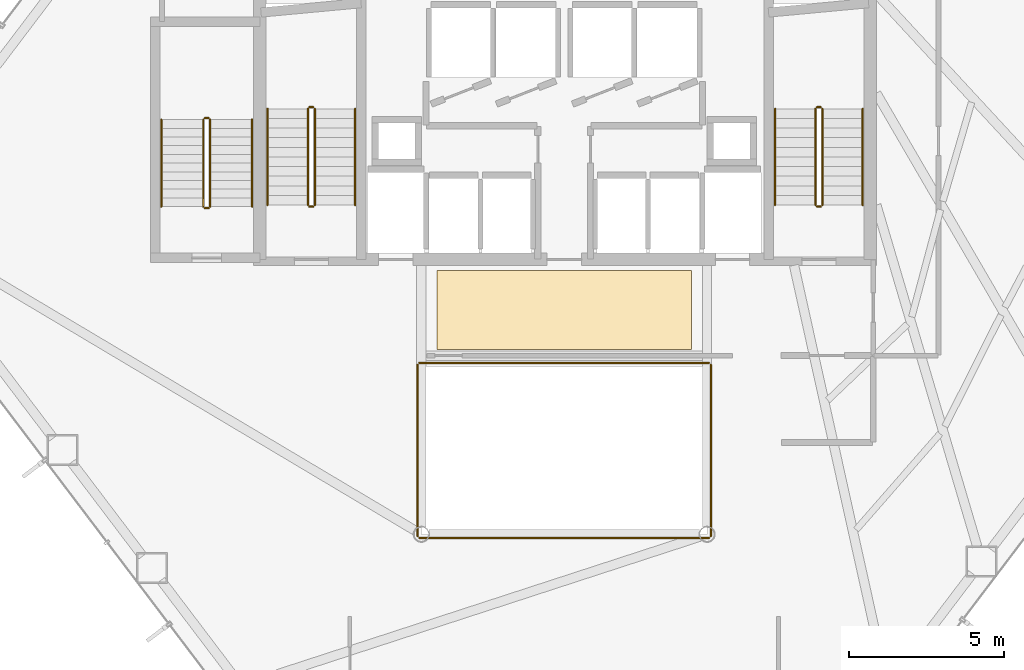
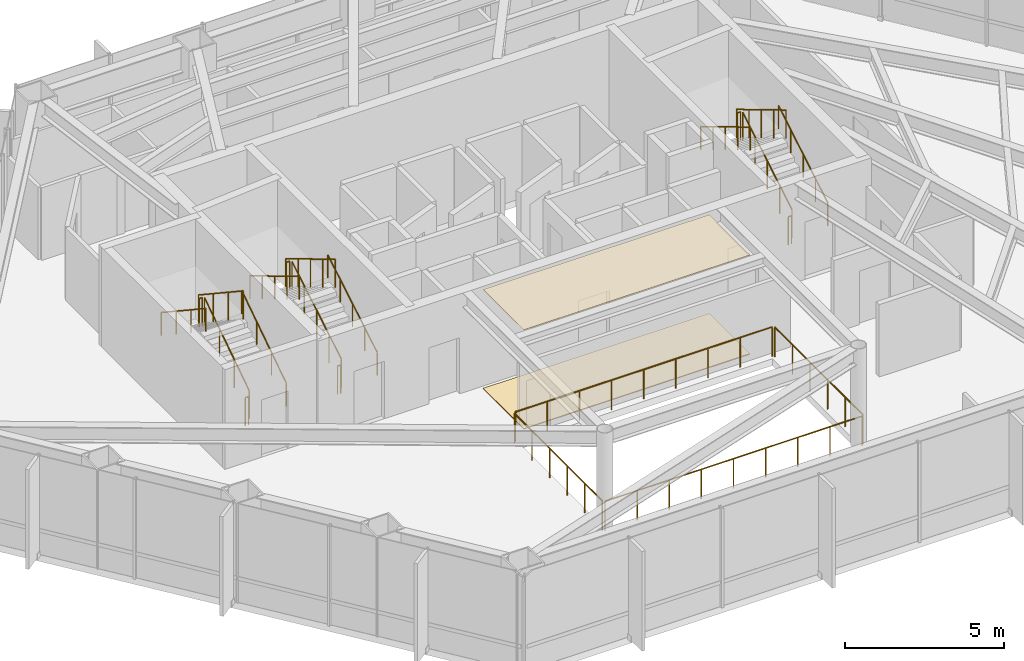
# One storey, part 25 of 25: 22 railings, 2 coverings.
"""IFC4 building model written with IfcOpenShell, lengths in metres."""

from ifc_helpers import new_model, si_unit, direction, frame, origin, origin_2d, place, context, subcontext, project, spatial, polyline, circle, outline, extrude, material, layer, layer_set, type_object, element, save


model = new_model("IFC4")

# Units and contexts
model_context = context("Model", 3, precision=1e-05, world=origin(), true_north=direction((0.0, 1.0)))
body_context = subcontext(model_context, "Body", "Model", "MODEL_VIEW")
ifc_project = project(units=[si_unit("LENGTHUNIT", "METRE"), si_unit("AREAUNIT", "SQUARE_METRE"), si_unit("VOLUMEUNIT", "CUBIC_METRE"), si_unit("PLANEANGLEUNIT", "RADIAN"), si_unit("MASSUNIT", "GRAM", prefix="KILO")], contexts=[model_context])

# Site, building, storey
site_placement = place(None, origin())
site = spatial("IfcSite", under=ifc_project, at=site_placement, CompositionType="ELEMENT")
building_placement = place(site_placement, origin())
building = spatial("IfcBuilding", under=site, at=building_placement, Name="Zarrinselat Tower", CompositionType="ELEMENT")
storey_placement = place(building_placement, frame((0.0, 0.0, 52.02001953125)))
storey = spatial("IfcBuildingStorey", under=building, at=storey_placement, Name="L12", CompositionType="ELEMENT", Elevation=52.02001953125)

# Coverings
ifc_material_1 = material(Name="Fire-Rated Gypsum Board Partition")
ifc_layer_1 = layer(ifc_material_1, 0.014892578125)
ifc_layer_set_1 = layer_set([ifc_layer_1], Name="Fire-Rated Gypsum Board Partition")
covering_type_1 = type_object("IfcCoveringType", Name="COV-CLG-AC15", PredefinedType="CEILING", material=ifc_layer_set_1)
covering_1_placement = place(storey_placement, frame((0.0, 0.0, 3.804931640625)))
element("IfcCovering", 1, at=covering_1_placement, inside=storey, type_object=covering_type_1, Name="L12 Lift Lobby Acoustic Ceiling", PredefinedType="CEILING", context=body_context, shape_type="SweptSolid", body=[
    extrude(outline(polyline([(34.300048828125, 30.35009765625), (42.5, 30.35009765625), (42.5, 32.89990234375), (34.300048828125, 32.89990234375), (34.300048828125, 30.35009765625)])), origin(), (0.0, 0.0, 1.0), 0.01513671875),
])
ifc_material_2 = material(Name="Precast concrete C40/50", Category="concrete")
ifc_layer_2 = layer(ifc_material_2, 0.034912109375)
ifc_layer_set_2 = layer_set([ifc_layer_2], Name="Precast concrete C40/50")
covering_type_2 = type_object("IfcCoveringType", Name="COV-FLR-CP35", PredefinedType="FLOORING", material=ifc_layer_set_2)
covering_2_placement = place(storey_placement, origin())
element("IfcCovering", 2, at=covering_2_placement, inside=storey, type_object=covering_type_2, Name="L12 Lift Lobby Stone Flooring", PredefinedType="FLOORING", context=body_context, shape_type="SweptSolid", body=[
    extrude(outline(polyline([(34.300048828125, 30.35009765625), (42.5, 30.35009765625), (42.5, 32.89990234375), (34.300048828125, 32.89990234375), (34.300048828125, 30.35009765625)])), origin(), (0.0, 0.0, 1.0), 0.034912109375),
])

# Railings
ifc_material_3 = material(Name="Double Low-E Laminated Solar Glass", Category="glass")
railing_type_1 = type_object("IfcRailingType", Name="RLG-ATRIUM-BAL", PredefinedType="BALUSTRADE", material=ifc_material_3)
railing_1_placement = place(storey_placement, frame((33.739990234375, 24.280029296875, 0.0)))
element("IfcRailing", 3, at=railing_1_placement, inside=storey, type_object=railing_type_1, Name="L12 Atrium Void Glass Balustrade S", PredefinedType="BALUSTRADE", context=body_context, shape_type="SweptSolid", body=[
    extrude(circle(Radius=0.02392578125, at=origin_2d()), frame((0.0, 0.0, 1.1259765625), z_axis=(1.0, 0.0, 0.0), x_axis=(0.0, 1.0, 0.0)), (0.0, 0.0, 1.0), 9.320068359375),
    extrude(circle(Radius=0.02099609375, at=origin_2d()), origin(), (0.0, 0.0, 1.0), 1.099853515625),
    extrude(circle(Radius=0.02099609375, at=origin_2d()), frame((1.1650390625, 0.0, 0.0)), (0.0, 0.0, 1.0), 1.099853515625),
    extrude(circle(Radius=0.02099609375, at=origin_2d()), frame((2.330078125, 0.0, 0.0)), (0.0, 0.0, 1.0), 1.099853515625),
    extrude(circle(Radius=0.02099609375, at=origin_2d()), frame((3.4951171875, 0.0, 0.0)), (0.0, 0.0, 1.0), 1.099853515625),
    extrude(circle(Radius=0.02099609375, at=origin_2d()), frame((4.66015625, 0.0, 0.0)), (0.0, 0.0, 1.0), 1.099853515625),
    extrude(circle(Radius=0.02099609375, at=origin_2d()), frame((5.824951171875, 0.0, 0.0)), (0.0, 0.0, 1.0), 1.099853515625),
    extrude(circle(Radius=0.02099609375, at=origin_2d()), frame((6.989990234375, 0.0, 0.0)), (0.0, 0.0, 1.0), 1.099853515625),
    extrude(circle(Radius=0.02099609375, at=origin_2d()), frame((8.155029296875, 0.0, 0.0)), (0.0, 0.0, 1.0), 1.099853515625),
    extrude(circle(Radius=0.02099609375, at=origin_2d()), frame((9.320068359375, 0.0, 0.0)), (0.0, 0.0, 1.0), 1.099853515625),
])
railing_2_placement = place(storey_placement, frame((43.1201171875, 24.340087890625, 0.0)))
element("IfcRailing", 4, at=railing_2_placement, inside=storey, type_object=railing_type_1, Name="L12 Atrium Void Glass Balustrade E", PredefinedType="BALUSTRADE", context=body_context, shape_type="SweptSolid", body=[
    extrude(circle(Radius=0.02392578125, at=origin_2d()), frame((0.0, 0.0, 1.1259765625), z_axis=(0.0, 1.0, 0.0), x_axis=(-1.0, 0.0, 0.0)), (0.0, 0.0, 1.0), 5.52001953125),
    extrude(circle(Radius=0.02099609375, at=origin_2d()), origin(), (0.0, 0.0, 1.0), 1.099853515625),
    extrude(circle(Radius=0.02099609375, at=origin_2d()), frame((0.0, 1.10400390625, 0.0)), (0.0, 0.0, 1.0), 1.099853515625),
    extrude(circle(Radius=0.02099609375, at=origin_2d()), frame((0.0, 2.2080078125, 0.0)), (0.0, 0.0, 1.0), 1.099853515625),
    extrude(circle(Radius=0.02099609375, at=origin_2d()), frame((0.0, 3.31201171875, 0.0)), (0.0, 0.0, 1.0), 1.099853515625),
    extrude(circle(Radius=0.02099609375, at=origin_2d()), frame((0.0, 4.416015625, 0.0)), (0.0, 0.0, 1.0), 1.099853515625),
    extrude(circle(Radius=0.02099609375, at=origin_2d()), frame((0.0, 5.52001953125, 0.0)), (0.0, 0.0, 1.0), 1.099853515625),
])
railing_3_placement = place(storey_placement, frame((43.06005859375, 29.919921875, 0.0)))
element("IfcRailing", 5, at=railing_3_placement, inside=storey, type_object=railing_type_1, Name="L12 Atrium Void Glass Balustrade N", PredefinedType="BALUSTRADE", context=body_context, shape_type="SweptSolid", body=[
    extrude(circle(Radius=0.02392578125, at=origin_2d()), frame((0.0, 0.0, 1.1259765625), z_axis=(-1.0, 0.0, 0.0), x_axis=(0.0, -1.0, 0.0)), (0.0, 0.0, 1.0), 9.320068359375),
    extrude(circle(Radius=0.02099609375, at=origin_2d()), origin(), (0.0, 0.0, 1.0), 1.099853515625),
    extrude(circle(Radius=0.02099609375, at=origin_2d()), frame((-1.1650390625, 0.0, 0.0)), (0.0, 0.0, 1.0), 1.099853515625),
    extrude(circle(Radius=0.02099609375, at=origin_2d()), frame((-2.330078125, 0.0, 0.0)), (0.0, 0.0, 1.0), 1.099853515625),
    extrude(circle(Radius=0.02099609375, at=origin_2d()), frame((-3.4951171875, 0.0, 0.0)), (0.0, 0.0, 1.0), 1.099853515625),
    extrude(circle(Radius=0.02099609375, at=origin_2d()), frame((-4.66015625, 0.0, 0.0)), (0.0, 0.0, 1.0), 1.099853515625),
    extrude(circle(Radius=0.02099609375, at=origin_2d()), frame((-5.824951171875, 0.0, 0.0)), (0.0, 0.0, 1.0), 1.099853515625),
    extrude(circle(Radius=0.02099609375, at=origin_2d()), frame((-6.989990234375, 0.0, 0.0)), (0.0, 0.0, 1.0), 1.099853515625),
    extrude(circle(Radius=0.02099609375, at=origin_2d()), frame((-8.155029296875, 0.0, 0.0)), (0.0, 0.0, 1.0), 1.099853515625),
    extrude(circle(Radius=0.02099609375, at=origin_2d()), frame((-9.320068359375, 0.0, 0.0)), (0.0, 0.0, 1.0), 1.099853515625),
])
railing_4_placement = place(storey_placement, frame((33.679931640625, 29.860107421875, 0.0)))
element("IfcRailing", 6, at=railing_4_placement, inside=storey, type_object=railing_type_1, Name="L12 Atrium Void Glass Balustrade W", PredefinedType="BALUSTRADE", context=body_context, shape_type="SweptSolid", body=[
    extrude(circle(Radius=0.02392578125, at=origin_2d()), frame((0.0, 0.0, 1.1259765625), z_axis=(0.0, -1.0, 0.0), x_axis=(1.0, 0.0, 0.0)), (0.0, 0.0, 1.0), 5.52001953125),
    extrude(circle(Radius=0.02099609375, at=origin_2d()), origin(), (0.0, 0.0, 1.0), 1.099853515625),
    extrude(circle(Radius=0.02099609375, at=origin_2d()), frame((0.0, -1.10400390625, 0.0)), (0.0, 0.0, 1.0), 1.099853515625),
    extrude(circle(Radius=0.02099609375, at=origin_2d()), frame((0.0, -2.2080078125, 0.0)), (0.0, 0.0, 1.0), 1.099853515625),
    extrude(circle(Radius=0.02099609375, at=origin_2d()), frame((0.0, -3.31201171875, 0.0)), (0.0, 0.0, 1.0), 1.099853515625),
    extrude(circle(Radius=0.02099609375, at=origin_2d()), frame((0.0, -4.416015625, 0.0)), (0.0, 0.0, 1.0), 1.099853515625),
    extrude(circle(Radius=0.02099609375, at=origin_2d()), frame((0.0, -5.52001953125, 0.0)), (0.0, 0.0, 1.0), 1.099853515625),
])
ifc_material_4 = material(Name="Steel S355J2", Category="steel")
railing_type_2 = type_object("IfcRailingType", Name="RLG-STAIR-GUARD", PredefinedType="GUARDRAIL", material=ifc_material_4)
railing_5_placement = place(storey_placement, frame((30.3701171875, 35.0, 0.185546875)))
element("IfcRailing", 7, at=railing_5_placement, inside=storey, type_object=railing_type_2, Name="L12 ST-1 stair guard 1", PredefinedType="GUARDRAIL", context=body_context, shape_type="SweptSolid", body=[
    extrude(circle(Radius=0.02392578125, at=origin_2d()), frame((0.0, 0.0, 1.076171875), z_axis=(0.0, 0.858171985069, 0.513362293163), x_axis=(-1.0, 0.0, 0.0)), (0.0, 0.0, 1.0), 3.612548828125),
    extrude(circle(Radius=0.02099609375, at=origin_2d()), origin(), (0.0, 0.0, 1.0), 1.050048828125),
    extrude(circle(Radius=0.02099609375, at=origin_2d()), frame((0.0, 0.77490234375, 0.463623046875)), (0.0, 0.0, 1.0), 1.050048828125),
    extrude(circle(Radius=0.02099609375, at=origin_2d()), frame((0.0, 1.550048828125, 0.92724609375)), (0.0, 0.0, 1.0), 1.050048828125),
    extrude(circle(Radius=0.02099609375, at=origin_2d()), frame((0.0, 2.3251953125, 1.390869140625)), (0.0, 0.0, 1.0), 1.050048828125),
    extrude(circle(Radius=0.02099609375, at=origin_2d()), frame((0.0, 3.10009765625, 1.8544921875)), (0.0, 0.0, 1.0), 1.050048828125),
])
railing_6_placement = place(storey_placement, frame((30.320068359375, 38.14990234375, 2.0400390625)))
element("IfcRailing", 8, at=railing_6_placement, inside=storey, type_object=railing_type_2, Name="L12 ST-1 stair guard 2", PredefinedType="GUARDRAIL", context=body_context, shape_type="SweptSolid", body=[
    extrude(circle(Radius=0.02392578125, at=origin_2d()), frame((0.0, 0.0, 1.076171875), z_axis=(-1.0, 0.0, 0.0), x_axis=(0.0, -1.0, 0.0)), (0.0, 0.0, 1.0), 0.1201171875),
    extrude(circle(Radius=0.02099609375, at=origin_2d()), origin(), (0.0, 0.0, 1.0), 1.050048828125),
    extrude(circle(Radius=0.02099609375, at=origin_2d()), frame((-0.1201171875, 0.0, 0.0)), (0.0, 0.0, 1.0), 1.050048828125),
])
railing_7_placement = place(storey_placement, frame((30.14990234375, 38.10009765625, 2.225341796875)))
element("IfcRailing", 9, at=railing_7_placement, inside=storey, type_object=railing_type_2, Name="L12 ST-1 stair guard 3", PredefinedType="GUARDRAIL", context=body_context, shape_type="SweptSolid", body=[
    extrude(circle(Radius=0.02392578125, at=origin_2d()), frame((0.0, 0.0, 1.076171875), z_axis=(0.0, -0.858142210651, 0.513412062869), x_axis=(1.0, 0.0, 0.0)), (0.0, 0.0, 1.0), 3.612548828125),
    extrude(circle(Radius=0.02099609375, at=origin_2d()), origin(), (0.0, 0.0, 1.0), 1.050048828125),
    extrude(circle(Radius=0.02099609375, at=origin_2d()), frame((0.0, -0.77490234375, 0.463623046875)), (0.0, 0.0, 1.0), 1.050048828125),
    extrude(circle(Radius=0.02099609375, at=origin_2d()), frame((0.0, -1.550048828125, 0.92724609375)), (0.0, 0.0, 1.0), 1.050048828125),
    extrude(circle(Radius=0.02099609375, at=origin_2d()), frame((0.0, -2.3251953125, 1.39111328125)), (0.0, 0.0, 1.0), 1.050048828125),
    extrude(circle(Radius=0.02099609375, at=origin_2d()), frame((0.0, -3.10009765625, 1.854736328125)), (0.0, 0.0, 1.0), 1.050048828125),
])
railing_8_placement = place(storey_placement, frame((30.320068359375, 34.949951171875, 0.0)))
element("IfcRailing", 10, at=railing_8_placement, inside=storey, type_object=railing_type_2, Name="L12 ST-1 stair guard 4", PredefinedType="GUARDRAIL", context=body_context, shape_type="SweptSolid", body=[
    extrude(circle(Radius=0.02392578125, at=origin_2d()), frame((0.0, 0.0, 1.076171875), z_axis=(-1.0, 0.0, 0.0), x_axis=(0.0, -1.0, 0.0)), (0.0, 0.0, 1.0), 0.1201171875),
    extrude(circle(Radius=0.02099609375, at=origin_2d()), origin(), (0.0, 0.0, 1.0), 1.050048828125),
    extrude(circle(Radius=0.02099609375, at=origin_2d()), frame((-0.1201171875, 0.0, 0.0)), (0.0, 0.0, 1.0), 1.050048828125),
])
railing_9_placement = place(storey_placement, frame((46.7099609375, 35.0, 0.185546875)))
element("IfcRailing", 11, at=railing_9_placement, inside=storey, type_object=railing_type_2, Name="L12 ST-2 stair guard 1", PredefinedType="GUARDRAIL", context=body_context, shape_type="SweptSolid", body=[
    extrude(circle(Radius=0.02392578125, at=origin_2d()), frame((0.0, 0.0, 1.076171875), z_axis=(0.0, 0.858171985069, 0.513362293163), x_axis=(-1.0, 0.0, 0.0)), (0.0, 0.0, 1.0), 3.612548828125),
    extrude(circle(Radius=0.02099609375, at=origin_2d()), origin(), (0.0, 0.0, 1.0), 1.050048828125),
    extrude(circle(Radius=0.02099609375, at=origin_2d()), frame((0.0, 0.77490234375, 0.463623046875)), (0.0, 0.0, 1.0), 1.050048828125),
    extrude(circle(Radius=0.02099609375, at=origin_2d()), frame((0.0, 1.550048828125, 0.92724609375)), (0.0, 0.0, 1.0), 1.050048828125),
    extrude(circle(Radius=0.02099609375, at=origin_2d()), frame((0.0, 2.3251953125, 1.390869140625)), (0.0, 0.0, 1.0), 1.050048828125),
    extrude(circle(Radius=0.02099609375, at=origin_2d()), frame((0.0, 3.10009765625, 1.8544921875)), (0.0, 0.0, 1.0), 1.050048828125),
])
railing_10_placement = place(storey_placement, frame((46.659912109375, 38.14990234375, 2.0400390625)))
element("IfcRailing", 12, at=railing_10_placement, inside=storey, type_object=railing_type_2, Name="L12 ST-2 stair guard 2", PredefinedType="GUARDRAIL", context=body_context, shape_type="SweptSolid", body=[
    extrude(circle(Radius=0.02392578125, at=origin_2d()), frame((0.0, 0.0, 1.076171875), z_axis=(-1.0, 0.0, 0.0), x_axis=(0.0, -1.0, 0.0)), (0.0, 0.0, 1.0), 0.119873046875),
    extrude(circle(Radius=0.02099609375, at=origin_2d()), origin(), (0.0, 0.0, 1.0), 1.050048828125),
    extrude(circle(Radius=0.02099609375, at=origin_2d()), frame((-0.119873046875, 0.0, 0.0)), (0.0, 0.0, 1.0), 1.050048828125),
])
railing_11_placement = place(storey_placement, frame((46.489990234375, 38.10009765625, 2.225341796875)))
element("IfcRailing", 13, at=railing_11_placement, inside=storey, type_object=railing_type_2, Name="L12 ST-2 stair guard 3", PredefinedType="GUARDRAIL", context=body_context, shape_type="SweptSolid", body=[
    extrude(circle(Radius=0.02392578125, at=origin_2d()), frame((0.0, 0.0, 1.076171875), z_axis=(0.0, -0.858142210651, 0.513412062869), x_axis=(1.0, 0.0, 0.0)), (0.0, 0.0, 1.0), 3.612548828125),
    extrude(circle(Radius=0.02099609375, at=origin_2d()), origin(), (0.0, 0.0, 1.0), 1.050048828125),
    extrude(circle(Radius=0.02099609375, at=origin_2d()), frame((0.0, -0.77490234375, 0.463623046875)), (0.0, 0.0, 1.0), 1.050048828125),
    extrude(circle(Radius=0.02099609375, at=origin_2d()), frame((0.0, -1.550048828125, 0.92724609375)), (0.0, 0.0, 1.0), 1.050048828125),
    extrude(circle(Radius=0.02099609375, at=origin_2d()), frame((0.0, -2.3251953125, 1.39111328125)), (0.0, 0.0, 1.0), 1.050048828125),
    extrude(circle(Radius=0.02099609375, at=origin_2d()), frame((0.0, -3.10009765625, 1.854736328125)), (0.0, 0.0, 1.0), 1.050048828125),
])
railing_12_placement = place(storey_placement, frame((46.659912109375, 34.949951171875, 0.0)))
element("IfcRailing", 14, at=railing_12_placement, inside=storey, type_object=railing_type_2, Name="L12 ST-2 stair guard 4", PredefinedType="GUARDRAIL", context=body_context, shape_type="SweptSolid", body=[
    extrude(circle(Radius=0.02392578125, at=origin_2d()), frame((0.0, 0.0, 1.076171875), z_axis=(-1.0, 0.0, 0.0), x_axis=(0.0, -1.0, 0.0)), (0.0, 0.0, 1.0), 0.119873046875),
    extrude(circle(Radius=0.02099609375, at=origin_2d()), origin(), (0.0, 0.0, 1.0), 1.050048828125),
    extrude(circle(Radius=0.02099609375, at=origin_2d()), frame((-0.119873046875, 0.0, 0.0)), (0.0, 0.0, 1.0), 1.050048828125),
])
railing_13_placement = place(storey_placement, frame((27.0, 34.949951171875, 0.185546875)))
element("IfcRailing", 15, at=railing_13_placement, inside=storey, type_object=railing_type_2, Name="L12 ST-3 stair guard 1", PredefinedType="GUARDRAIL", context=body_context, shape_type="SweptSolid", body=[
    extrude(circle(Radius=0.02392578125, at=origin_2d()), frame((0.0, 0.0, 1.076171875), z_axis=(0.0, 0.833724036255, 0.552181339209), x_axis=(-1.0, 0.0, 0.0)), (0.0, 0.0, 1.0), 3.3583984375),
    extrude(circle(Radius=0.02099609375, at=origin_2d()), origin(), (0.0, 0.0, 1.0), 1.050048828125),
    extrude(circle(Radius=0.02099609375, at=origin_2d()), frame((0.0, 0.933349609375, 0.6181640625)), (0.0, 0.0, 1.0), 1.050048828125),
    extrude(circle(Radius=0.02099609375, at=origin_2d()), frame((0.0, 1.86669921875, 1.236328125)), (0.0, 0.0, 1.0), 1.050048828125),
    extrude(circle(Radius=0.02099609375, at=origin_2d()), frame((0.0, 2.800048828125, 1.8544921875)), (0.0, 0.0, 1.0), 1.050048828125),
])
railing_14_placement = place(storey_placement, frame((26.949951171875, 37.800048828125, 2.0400390625)))
element("IfcRailing", 16, at=railing_14_placement, inside=storey, type_object=railing_type_2, Name="L12 ST-3 stair guard 2", PredefinedType="GUARDRAIL", context=body_context, shape_type="SweptSolid", body=[
    extrude(circle(Radius=0.02392578125, at=origin_2d()), frame((0.0, 0.0, 1.076171875), z_axis=(-1.0, 0.0, 0.0), x_axis=(0.0, -1.0, 0.0)), (0.0, 0.0, 1.0), 0.119873046875),
    extrude(circle(Radius=0.02099609375, at=origin_2d()), origin(), (0.0, 0.0, 1.0), 1.050048828125),
    extrude(circle(Radius=0.02099609375, at=origin_2d()), frame((-0.119873046875, 0.0, 0.0)), (0.0, 0.0, 1.0), 1.050048828125),
])
railing_15_placement = place(storey_placement, frame((26.780029296875, 37.75, 2.225341796875)))
element("IfcRailing", 17, at=railing_15_placement, inside=storey, type_object=railing_type_2, Name="L12 ST-3 stair guard 3", PredefinedType="GUARDRAIL", context=body_context, shape_type="SweptSolid", body=[
    extrude(circle(Radius=0.02392578125, at=origin_2d()), frame((0.0, 0.0, 1.076171875), z_axis=(0.0, -0.833690570297, 0.55223186525), x_axis=(1.0, 0.0, 0.0)), (0.0, 0.0, 1.0), 3.358642578125),
    extrude(circle(Radius=0.02099609375, at=origin_2d()), origin(), (0.0, 0.0, 1.0), 1.050048828125),
    extrude(circle(Radius=0.02099609375, at=origin_2d()), frame((0.0, -0.933349609375, 0.6181640625)), (0.0, 0.0, 1.0), 1.050048828125),
    extrude(circle(Radius=0.02099609375, at=origin_2d()), frame((0.0, -1.86669921875, 1.236572265625)), (0.0, 0.0, 1.0), 1.050048828125),
    extrude(circle(Radius=0.02099609375, at=origin_2d()), frame((0.0, -2.800048828125, 1.854736328125)), (0.0, 0.0, 1.0), 1.050048828125),
])
railing_16_placement = place(storey_placement, frame((26.949951171875, 34.89990234375, 0.0)))
element("IfcRailing", 18, at=railing_16_placement, inside=storey, type_object=railing_type_2, Name="L12 ST-3 stair guard 4", PredefinedType="GUARDRAIL", context=body_context, shape_type="SweptSolid", body=[
    extrude(circle(Radius=0.02392578125, at=origin_2d()), frame((0.0, 0.0, 1.076171875), z_axis=(-1.0, 0.0, 0.0), x_axis=(0.0, -1.0, 0.0)), (0.0, 0.0, 1.0), 0.119873046875),
    extrude(circle(Radius=0.02099609375, at=origin_2d()), origin(), (0.0, 0.0, 1.0), 1.050048828125),
    extrude(circle(Radius=0.02099609375, at=origin_2d()), frame((-0.119873046875, 0.0, 0.0)), (0.0, 0.0, 1.0), 1.050048828125),
])
ifc_material_5 = material(Name="Steel S355J2", Category="steel")
railing_type_3 = type_object("IfcRailingType", Name="RLG-STAIR-HAND", PredefinedType="HANDRAIL", material=ifc_material_5)
railing_17_placement = place(storey_placement, frame((31.669921875, 35.0, 0.185546875)))
element("IfcRailing", 19, at=railing_17_placement, inside=storey, type_object=railing_type_3, Name="L12 ST-1 stair handrail 1", PredefinedType="HANDRAIL", context=body_context, shape_type="SweptSolid", body=[
    extrude(circle(Radius=0.02392578125, at=origin_2d()), frame((0.0, 0.0, 0.8759765625), z_axis=(0.0, 0.858171985069, 0.513362293163), x_axis=(-1.0, 0.0, 0.0)), (0.0, 0.0, 1.0), 3.612548828125),
    extrude(circle(Radius=0.02099609375, at=origin_2d()), origin(), (0.0, 0.0, 1.0), 0.849853515625),
    extrude(circle(Radius=0.02099609375, at=origin_2d()), frame((0.0, 0.77490234375, 0.463623046875)), (0.0, 0.0, 1.0), 0.849853515625),
    extrude(circle(Radius=0.02099609375, at=origin_2d()), frame((0.0, 1.550048828125, 0.92724609375)), (0.0, 0.0, 1.0), 0.849853515625),
    extrude(circle(Radius=0.02099609375, at=origin_2d()), frame((0.0, 2.3251953125, 1.390869140625)), (0.0, 0.0, 1.0), 0.849853515625),
    extrude(circle(Radius=0.02099609375, at=origin_2d()), frame((0.0, 3.10009765625, 1.8544921875)), (0.0, 0.0, 1.0), 0.849853515625),
])
railing_18_placement = place(storey_placement, frame((28.85009765625, 38.10009765625, 2.225341796875)))
element("IfcRailing", 20, at=railing_18_placement, inside=storey, type_object=railing_type_3, Name="L12 ST-1 stair handrail 2", PredefinedType="HANDRAIL", context=body_context, shape_type="SweptSolid", body=[
    extrude(circle(Radius=0.02392578125, at=origin_2d()), frame((0.0, 0.0, 0.8759765625), z_axis=(0.0, -0.858142210651, 0.513412062869), x_axis=(1.0, 0.0, 0.0)), (0.0, 0.0, 1.0), 3.612548828125),
    extrude(circle(Radius=0.02099609375, at=origin_2d()), origin(), (0.0, 0.0, 1.0), 0.849853515625),
    extrude(circle(Radius=0.02099609375, at=origin_2d()), frame((0.0, -0.77490234375, 0.463623046875)), (0.0, 0.0, 1.0), 0.849853515625),
    extrude(circle(Radius=0.02099609375, at=origin_2d()), frame((0.0, -1.550048828125, 0.92724609375)), (0.0, 0.0, 1.0), 0.849853515625),
    extrude(circle(Radius=0.02099609375, at=origin_2d()), frame((0.0, -2.3251953125, 1.39111328125)), (0.0, 0.0, 1.0), 0.849853515625),
    extrude(circle(Radius=0.02099609375, at=origin_2d()), frame((0.0, -3.10009765625, 1.854736328125)), (0.0, 0.0, 1.0), 0.849853515625),
])
railing_19_placement = place(storey_placement, frame((48.010009765625, 35.0, 0.185546875)))
element("IfcRailing", 21, at=railing_19_placement, inside=storey, type_object=railing_type_3, Name="L12 ST-2 stair handrail 1", PredefinedType="HANDRAIL", context=body_context, shape_type="SweptSolid", body=[
    extrude(circle(Radius=0.02392578125, at=origin_2d()), frame((0.0, 0.0, 0.8759765625), z_axis=(0.0, 0.858171985069, 0.513362293163), x_axis=(-1.0, 0.0, 0.0)), (0.0, 0.0, 1.0), 3.612548828125),
    extrude(circle(Radius=0.02099609375, at=origin_2d()), origin(), (0.0, 0.0, 1.0), 0.849853515625),
    extrude(circle(Radius=0.02099609375, at=origin_2d()), frame((0.0, 0.77490234375, 0.463623046875)), (0.0, 0.0, 1.0), 0.849853515625),
    extrude(circle(Radius=0.02099609375, at=origin_2d()), frame((0.0, 1.550048828125, 0.92724609375)), (0.0, 0.0, 1.0), 0.849853515625),
    extrude(circle(Radius=0.02099609375, at=origin_2d()), frame((0.0, 2.3251953125, 1.390869140625)), (0.0, 0.0, 1.0), 0.849853515625),
    extrude(circle(Radius=0.02099609375, at=origin_2d()), frame((0.0, 3.10009765625, 1.8544921875)), (0.0, 0.0, 1.0), 0.849853515625),
])
railing_20_placement = place(storey_placement, frame((45.18994140625, 38.10009765625, 2.225341796875)))
element("IfcRailing", 22, at=railing_20_placement, inside=storey, type_object=railing_type_3, Name="L12 ST-2 stair handrail 2", PredefinedType="HANDRAIL", context=body_context, shape_type="SweptSolid", body=[
    extrude(circle(Radius=0.02392578125, at=origin_2d()), frame((0.0, 0.0, 0.8759765625), z_axis=(0.0, -0.858142210651, 0.513412062869), x_axis=(1.0, 0.0, 0.0)), (0.0, 0.0, 1.0), 3.612548828125),
    extrude(circle(Radius=0.02099609375, at=origin_2d()), origin(), (0.0, 0.0, 1.0), 0.849853515625),
    extrude(circle(Radius=0.02099609375, at=origin_2d()), frame((0.0, -0.77490234375, 0.463623046875)), (0.0, 0.0, 1.0), 0.849853515625),
    extrude(circle(Radius=0.02099609375, at=origin_2d()), frame((0.0, -1.550048828125, 0.92724609375)), (0.0, 0.0, 1.0), 0.849853515625),
    extrude(circle(Radius=0.02099609375, at=origin_2d()), frame((0.0, -2.3251953125, 1.39111328125)), (0.0, 0.0, 1.0), 0.849853515625),
    extrude(circle(Radius=0.02099609375, at=origin_2d()), frame((0.0, -3.10009765625, 1.854736328125)), (0.0, 0.0, 1.0), 0.849853515625),
])
railing_21_placement = place(storey_placement, frame((28.35009765625, 34.949951171875, 0.185546875)))
element("IfcRailing", 23, at=railing_21_placement, inside=storey, type_object=railing_type_3, Name="L12 ST-3 stair handrail 1", PredefinedType="HANDRAIL", context=body_context, shape_type="SweptSolid", body=[
    extrude(circle(Radius=0.02392578125, at=origin_2d()), frame((0.0, 0.0, 0.8759765625), z_axis=(0.0, 0.833724036255, 0.552181339209), x_axis=(-1.0, 0.0, 0.0)), (0.0, 0.0, 1.0), 3.3583984375),
    extrude(circle(Radius=0.02099609375, at=origin_2d()), origin(), (0.0, 0.0, 1.0), 0.849853515625),
    extrude(circle(Radius=0.02099609375, at=origin_2d()), frame((0.0, 0.933349609375, 0.6181640625)), (0.0, 0.0, 1.0), 0.849853515625),
    extrude(circle(Radius=0.02099609375, at=origin_2d()), frame((0.0, 1.86669921875, 1.236328125)), (0.0, 0.0, 1.0), 0.849853515625),
    extrude(circle(Radius=0.02099609375, at=origin_2d()), frame((0.0, 2.800048828125, 1.8544921875)), (0.0, 0.0, 1.0), 0.849853515625),
])
railing_22_placement = place(storey_placement, frame((25.429931640625, 37.75, 2.225341796875)))
element("IfcRailing", 24, at=railing_22_placement, inside=storey, type_object=railing_type_3, Name="L12 ST-3 stair handrail 2", PredefinedType="HANDRAIL", context=body_context, shape_type="SweptSolid", body=[
    extrude(circle(Radius=0.02392578125, at=origin_2d()), frame((0.0, 0.0, 0.8759765625), z_axis=(0.0, -0.833690570297, 0.55223186525), x_axis=(1.0, 0.0, 0.0)), (0.0, 0.0, 1.0), 3.358642578125),
    extrude(circle(Radius=0.02099609375, at=origin_2d()), origin(), (0.0, 0.0, 1.0), 0.849853515625),
    extrude(circle(Radius=0.02099609375, at=origin_2d()), frame((0.0, -0.933349609375, 0.6181640625)), (0.0, 0.0, 1.0), 0.849853515625),
    extrude(circle(Radius=0.02099609375, at=origin_2d()), frame((0.0, -1.86669921875, 1.236572265625)), (0.0, 0.0, 1.0), 0.849853515625),
    extrude(circle(Radius=0.02099609375, at=origin_2d()), frame((0.0, -2.800048828125, 1.854736328125)), (0.0, 0.0, 1.0), 0.849853515625),
])

save(model, "model.ifc")
